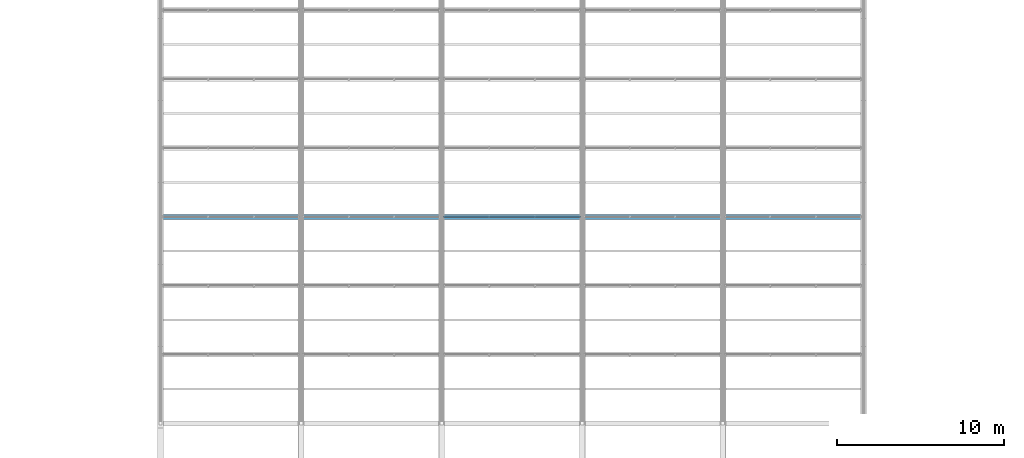
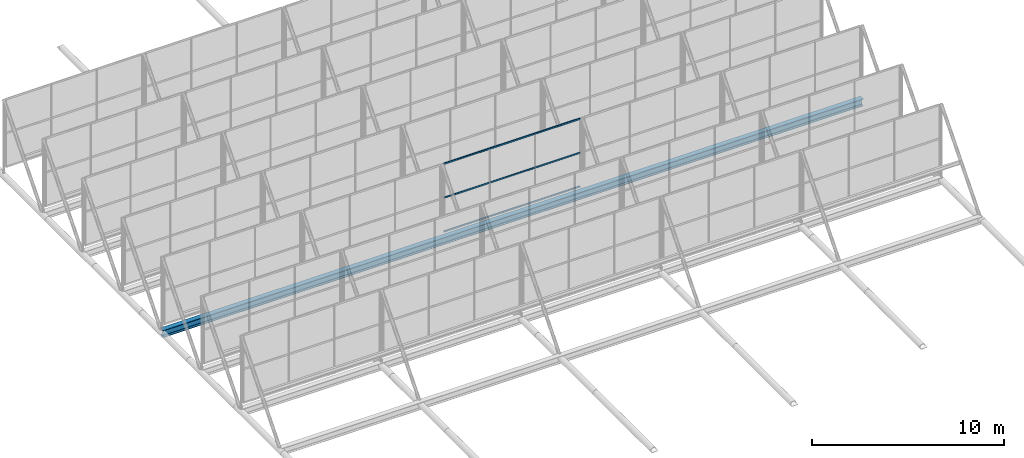
# One storey, part 21 of 77: 3 members, 1 beam, 1 element without a shape of its own.
"""IFC4 building model written with IfcOpenShell, lengths in metres."""

import ifcopenshell
import ifcopenshell.guid

model = None  # the IFC model being written
_history = None  # IfcOwnerHistory: only IFC2X3 demands one
_inside = {}  # id of a spatial element -> (the spatial element, [elements in it])
_under = {}  # id of a project, library or spatial element -> (it, [spatial elements below it])
_declared = {}  # id of a project -> (the project, [libraries it declares])
_typed = {}  # id of a type object -> (the type object, [elements of that type])
_made_of = {}  # id of a material, layer set ... -> (it, [elements and type objects made of it])


def new_model(schema):
    """Start an empty IFC model of exactly this schema.

    Asked for "IFC4X3", IfcOpenShell would pick the latest addendum, in which some entities
    have other attributes; the version numbers below select the first issue.
    IFC2X3 requires an IfcOwnerHistory on every rooted entity: one is made here for all.
    """
    global model, _history
    if schema == "IFC4X3":
        model = ifcopenshell.file(schema_version=(4, 3, 0, 0))
    else:
        model = ifcopenshell.file(schema=schema)
    _inside.clear()
    _under.clear()
    _declared.clear()
    _typed.clear()
    _made_of.clear()
    _history = None
    if model.schema == "IFC2X3":
        org = make("IfcOrganization", Name="unknown")
        user = make(
            "IfcPersonAndOrganization",
            ThePerson=make("IfcPerson", FamilyName="unknown"),
            TheOrganization=org,
        )
        app = make(
            "IfcApplication",
            ApplicationDeveloper=org,
            Version="unknown",
            ApplicationFullName="unknown",
            ApplicationIdentifier="unknown",
        )
        _history = make(
            "IfcOwnerHistory",
            OwningUser=user,
            OwningApplication=app,
            ChangeAction="ADDED",
            CreationDate=0,
        )
    return model


def make(cls, **values):
    """One entity of the class cls with the attributes given. An attribute that is None is left unset."""
    return model.create_entity(
        cls, **{name: value for name, value in values.items() if value is not None}
    )


def rooted(cls, **values):
    """An entity with a GlobalId (a new one), such as an element, a storey or a relation."""
    return make(cls, GlobalId=ifcopenshell.guid.new(), OwnerHistory=_history, **values)


def si_unit(unit_type, name, prefix=None):
    """IfcSIUnit, for example si_unit("LENGTHUNIT", "METRE", prefix="MILLI")."""
    return make("IfcSIUnit", UnitType=unit_type, Prefix=prefix, Name=name)


def derived_unit(unit_type, elements):
    """IfcDerivedUnit: a product of units, each with its exponent."""
    return make(
        "IfcDerivedUnit",
        Elements=[
            make("IfcDerivedUnitElement", Unit=unit, Exponent=power)
            for unit, power in elements
        ],
        UnitType=unit_type,
    )


def assignment(units):
    """IfcUnitAssignment: the units of a project."""
    return None if units is None else make("IfcUnitAssignment", Units=units)


def point(xyz):
    """IfcCartesianPoint."""
    return None if xyz is None else make("IfcCartesianPoint", Coordinates=xyz)


def direction(xyz):
    """IfcDirection."""
    return None if xyz is None else make("IfcDirection", DirectionRatios=xyz)


def frame(location, z_axis=None, x_axis=None):
    """IfcAxis2Placement3D, a coordinate frame: its origin and axes. An axis left out is left unset."""
    return make(
        "IfcAxis2Placement3D",
        Location=point(location),
        Axis=direction(z_axis),
        RefDirection=direction(x_axis),
    )


def frame_2d(location, x_axis=None):
    """IfcAxis2Placement2D, a coordinate frame in the plane: its origin and x axis."""
    return make(
        "IfcAxis2Placement2D", Location=point(location), RefDirection=direction(x_axis)
    )


def origin():
    """The frame at (0, 0, 0) with its axes left unset."""
    return frame((0.0, 0.0, 0.0))


def origin_2d():
    """The frame at (0, 0) in the plane with its x axis left unset."""
    return frame_2d((0.0, 0.0))


def place(relative_to, where):
    """IfcLocalPlacement: puts the frame where relative to a parent placement (None: the world)."""
    return make(
        "IfcLocalPlacement", PlacementRelTo=relative_to, RelativePlacement=where
    )


def context(
    kind, dimensions, precision=None, world=None, true_north=None, identifier=None
):
    """IfcGeometricRepresentationContext, for example the 3D "Model" context."""
    return make(
        "IfcGeometricRepresentationContext",
        ContextIdentifier=identifier,
        ContextType=kind,
        CoordinateSpaceDimension=dimensions,
        Precision=precision,
        WorldCoordinateSystem=world,
        TrueNorth=true_north,
    )


def subcontext(parent, identifier, kind, view, scale=None):
    """IfcGeometricRepresentationSubContext, for example "Body" below "Model"."""
    return make(
        "IfcGeometricRepresentationSubContext",
        ContextIdentifier=identifier,
        ContextType=kind,
        ParentContext=parent,
        TargetScale=scale,
        TargetView=view,
    )


def project(units=None, contexts=None):
    """IfcProject with its units and contexts."""
    return rooted(
        "IfcProject",
        Name="project",
        RepresentationContexts=contexts,
        UnitsInContext=assignment(units),
    )


def spatial(cls, under=None, at=None, **own):
    """A site, building, storey or space (cls), placed at a placement, below another one or the project."""
    s = rooted(cls, ObjectPlacement=at, **own)
    if under is not None:
        _under.setdefault(under.id(), (under, []))[1].append(s)
    return s


def profile(cls, at=None, kind="AREA", **sizes):
    """A parametric profile (cls). Its sizes go by their IFC names, for example OverallWidth=200.0."""
    return make(cls, ProfileType=kind, Position=at, **sizes)


def hollow_rectangle(**sizes):
    """IfcRectangleHollowProfileDef."""
    return profile("IfcRectangleHollowProfileDef", **sizes)


def i_section(**sizes):
    """IfcIShapeProfileDef."""
    return profile("IfcIShapeProfileDef", **sizes)


def extrude(swept, where, along, depth):
    """IfcExtrudedAreaSolid: the profile swept, set in the frame where, extruded along a direction by depth."""
    return make(
        "IfcExtrudedAreaSolid",
        SweptArea=swept,
        Position=where,
        ExtrudedDirection=direction(along),
        Depth=depth,
    )


def shape(context_of_items, identifier, shape_type, items):
    """IfcShapeRepresentation: the items that make up one representation, for example the "Body"."""
    return make(
        "IfcShapeRepresentation",
        ContextOfItems=context_of_items,
        RepresentationIdentifier=identifier,
        RepresentationType=shape_type,
        Items=items,
    )


def material(Name=None, Category=None):
    """IfcMaterial."""
    return make("IfcMaterial", Name=Name, Category=Category)


def material_profile(
    of_material, cross_section, Name=None, Category=None, Priority=None
):
    """IfcMaterialProfile: a cross section and its material."""
    return make(
        "IfcMaterialProfile",
        Name=Name,
        Material=of_material,
        Profile=cross_section,
        Priority=Priority,
        Category=Category,
    )


def profile_set(profiles, Name=None, composite=None):
    """IfcMaterialProfileSet."""
    return make(
        "IfcMaterialProfileSet",
        Name=Name,
        MaterialProfiles=profiles,
        CompositeProfile=composite,
    )


def made_of(thing, what):
    """Note that an element or type object is made of a material, layer set ...; save() writes the relation."""
    if what is not None:
        _made_of.setdefault(what.id(), (what, []))[1].append(thing)
    return thing


def type_object(cls, material=None, **own):
    """A type object (cls), such as IfcWallType, which elements share."""
    return made_of(rooted(cls, **own), material)


def element(
    cls,
    number,
    at=None,
    inside=None,
    cuts=None,
    type_object=None,
    material=None,
    context=None,
    identifier="Body",
    shape_type=None,
    held_by="IfcProductDefinitionShape",
    body=None,
    shapes=None,
    **own,
):
    """One element of the class cls, such as IfcWall. Its Tag is "e" and its number.

    at: its placement. inside: the storey or other place that contains it. cuts: it is an
    opening in that element (IfcRelVoidsElement). A single representation is given by context,
    identifier, shape_type and body (its items); several are given by shapes. held_by: the class
    of the entity that holds the representations. save() writes the other relations.
    """
    e = rooted(cls, Tag="e%d" % number, ObjectPlacement=at, **own)
    if body is not None:
        shapes = [shape(context, identifier, shape_type, body)]
    if shapes is not None:
        e.Representation = make(held_by, Representations=shapes)
    if inside is not None:
        _inside.setdefault(inside.id(), (inside, []))[1].append(e)
    if cuts is not None:
        rooted(
            "IfcRelVoidsElement", RelatingBuildingElement=cuts, RelatedOpeningElement=e
        )
    if type_object is not None:
        _typed.setdefault(type_object.id(), (type_object, []))[1].append(e)
    return made_of(e, material)


def aggregate(whole, parts):
    """IfcRelAggregates: a whole, such as a stair, and the parts it consists of."""
    return rooted("IfcRelAggregates", RelatingObject=whole, RelatedObjects=parts)


def save(model, path):
    """Write the relations noted so far, then the file.

    IfcRelAggregates (storeys below a building ...), IfcRelContainedInSpatialStructure (elements
    in a storey), IfcRelDefinesByType, IfcRelAssociatesMaterial and IfcRelDeclares: one each for
    every whole, place, type object, material and project.
    """
    for whole, parts in _under.values():
        aggregate(whole, parts)
    for where, things in _inside.values():
        rooted(
            "IfcRelContainedInSpatialStructure",
            RelatedElements=things,
            RelatingStructure=where,
        )
    for kind, things in _typed.values():
        rooted("IfcRelDefinesByType", RelatedObjects=things, RelatingType=kind)
    for what, things in _made_of.values():
        rooted("IfcRelAssociatesMaterial", RelatedObjects=things, RelatingMaterial=what)
    for by, libraries in _declared.values():
        rooted("IfcRelDeclares", RelatingContext=by, RelatedDefinitions=libraries)
    model.write(path)


model = new_model("IFC4")

# Units and contexts
model_context = context("Model", 3, precision=1e-05, world=origin(), true_north=direction((0.0, 1.0)))
body_context = subcontext(model_context, "Body", "Model", "MODEL_VIEW")
ifc_project = project(units=[si_unit("LENGTHUNIT", "METRE"), si_unit("AREAUNIT", "SQUARE_METRE"), si_unit("VOLUMEUNIT", "CUBIC_METRE"), si_unit("PLANEANGLEUNIT", "RADIAN"), si_unit("MASSUNIT", "GRAM", prefix="KILO"), derived_unit("THERMALTRANSMITTANCEUNIT", [(si_unit("MASSUNIT", "GRAM", prefix="KILO"), 1), (si_unit("TIMEUNIT", "SECOND"), -3), (si_unit("THERMODYNAMICTEMPERATUREUNIT", "KELVIN"), -1)])], contexts=[model_context])

# Site, building, storey
site_placement = place(None, origin())
site = spatial("IfcSite", under=ifc_project, at=site_placement, CompositionType="ELEMENT")
building_placement = place(site_placement, origin())
building = spatial("IfcBuilding", under=site, at=building_placement, Name="Kharveza Railside Sports Centre", CompositionType="ELEMENT")
storey_placement = place(building_placement, frame((0.0, 0.0, 17.10009765625)))
storey = spatial("IfcBuildingStorey", under=building, at=storey_placement, Name="L04", CompositionType="ELEMENT", Elevation=17.10009765625)

# Beam
ifc_material_1 = material(Name="Steel S355J2", Category="steel")
ifc_material_profile_1 = material_profile(ifc_material_1, i_section(OverallWidth=0.300048828125, OverallDepth=0.449951171875, WebThickness=0.013916015625, FlangeThickness=0.02587890625, FilletRadius=0.027099609375, at=origin_2d()), Name="HEB 450")
ifc_profile_set_1 = profile_set([ifc_material_profile_1], Name="Steel S355J2")
beam_type = type_object("IfcBeamType", Name="BM-G06", PredefinedType="T_BEAM", material=ifc_profile_set_1)
beam_placement = place(storey_placement, frame((33.60009765625, 48.343017578125, -1.050048828125), z_axis=(1.0, 0.0, 0.0), x_axis=(0.0, 1.0, 0.0)))
element("IfcBeam", 1, at=beam_placement, inside=storey, type_object=beam_type, Name="BM-V1SAW-VAL-4", PredefinedType="T_BEAM", context=body_context, shape_type="SweptSolid", body=[
    extrude(i_section(OverallWidth=0.300048828125, OverallDepth=0.449951171875, WebThickness=0.013916015625, FlangeThickness=0.02587890625, FilletRadius=0.027099609375, at=origin_2d()), origin(), (0.0, 0.0, 1.0), 42.0),
])

# Curtain wall, members
ifc_material_2 = material(Name="Low-E solar-control laminated glass", Category="glass")
curtain_wall_type = type_object("IfcCurtainWallType", Name="CW-NL01", PredefinedType="NOTDEFINED", material=ifc_material_2)
curtain_wall_placement = place(storey_placement, origin())
curtain_wall = element("IfcCurtainWall", 2, at=curtain_wall_placement, inside=storey, type_object=curtain_wall_type, Name="CW-V1NL-3-3", PredefinedType="NOTDEFINED")
ifc_material_3 = material(Name="Anodised aluminium 6063-T6", Category="aluminium")
ifc_material_profile_2 = material_profile(ifc_material_3, hollow_rectangle(XDim=0.06005859375, YDim=0.10009765625, WallThickness=0.00390625, InnerFilletRadius=0.00390625, OuterFilletRadius=0.008056640625, at=origin_2d()), Name="RHS 60x100x4.0")
ifc_profile_set_2 = profile_set([ifc_material_profile_2], Name="Anodised aluminium 6063-T6")
member_type = type_object("IfcMemberType", Name="CW-TR05", PredefinedType="USERDEFINED", material=ifc_profile_set_2)
member_1_placement = place(storey_placement, frame((50.52001953125, 48.343017578125, -0.550048828125), z_axis=(1.0, 0.0, 0.0), x_axis=(0.0, 1.0, 0.0)))
member_1 = element("IfcMember", 3, at=member_1_placement, type_object=member_type, Name="CW-V1NL-3-3-TR1", ObjectType="TRANSOM", PredefinedType="USERDEFINED", context=body_context, shape_type="SweptSolid", body=[
    extrude(hollow_rectangle(XDim=0.06005859375, YDim=0.10009765625, WallThickness=0.00390625, InnerFilletRadius=0.00390625, OuterFilletRadius=0.008056640625, at=origin_2d()), origin(), (0.0, 0.0, 1.0), 8.159912109375),
])
member_2_placement = place(storey_placement, frame((50.52001953125, 48.343017578125, 1.599853515625), z_axis=(1.0, 0.0, 0.0), x_axis=(0.0, 1.0, 0.0)))
member_2 = element("IfcMember", 4, at=member_2_placement, type_object=member_type, Name="CW-V1NL-3-3-TR2", ObjectType="TRANSOM", PredefinedType="USERDEFINED", context=body_context, shape_type="SweptSolid", body=[
    extrude(hollow_rectangle(XDim=0.06005859375, YDim=0.10009765625, WallThickness=0.00390625, InnerFilletRadius=0.00390625, OuterFilletRadius=0.008056640625, at=origin_2d()), origin(), (0.0, 0.0, 1.0), 8.159912109375),
])
member_3_placement = place(storey_placement, frame((50.52001953125, 48.343017578125, 3.75), z_axis=(1.0, 0.0, 0.0), x_axis=(0.0, 1.0, 0.0)))
member_3 = element("IfcMember", 5, at=member_3_placement, type_object=member_type, Name="CW-V1NL-3-3-TR3", ObjectType="TRANSOM", PredefinedType="USERDEFINED", context=body_context, shape_type="SweptSolid", body=[
    extrude(hollow_rectangle(XDim=0.06005859375, YDim=0.10009765625, WallThickness=0.00390625, InnerFilletRadius=0.00390625, OuterFilletRadius=0.008056640625, at=origin_2d()), origin(), (0.0, 0.0, 1.0), 8.159912109375),
])
aggregate(curtain_wall, [member_1, member_2, member_3])

save(model, "model.ifc")
